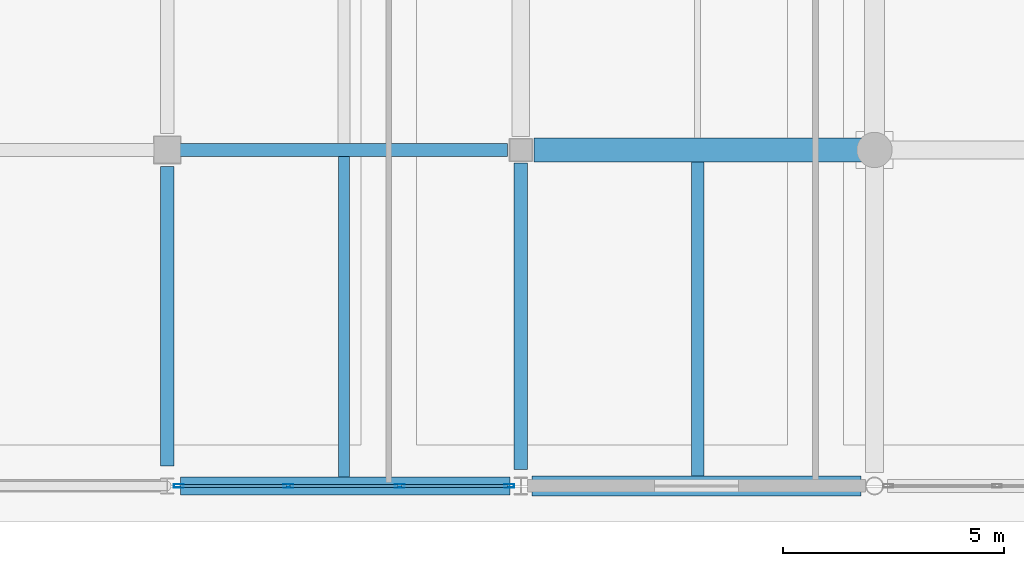
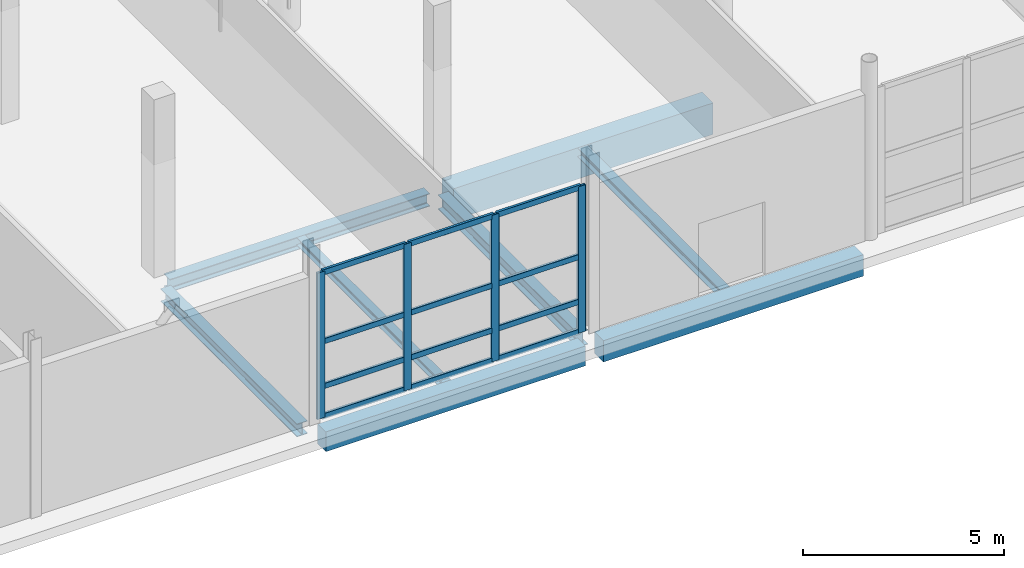
# One storey, part 37 of 126: 16 members, 8 beams, 1 element without a shape of its own.
"""IFC4 building model written with IfcOpenShell, lengths in metres."""

from ifc_helpers import new_model, si_unit, direction, frame, origin, origin_2d, place, context, subcontext, project, spatial, rectangle, hollow_rectangle, i_section, extrude, material, material_profile, profile_set, type_object, element, aggregate, save


model = new_model("IFC4")

# Units and contexts
model_context = context("Model", 3, precision=1e-05, world=origin(), true_north=direction((0.0, 1.0)))
body_context = subcontext(model_context, "Body", "Model", "MODEL_VIEW")
ifc_project = project(units=[si_unit("LENGTHUNIT", "METRE"), si_unit("AREAUNIT", "SQUARE_METRE"), si_unit("VOLUMEUNIT", "CUBIC_METRE"), si_unit("PLANEANGLEUNIT", "RADIAN"), si_unit("MASSUNIT", "GRAM", prefix="KILO")], contexts=[model_context])

# Site, building, storey
site_placement = place(None, origin())
site = spatial("IfcSite", under=ifc_project, at=site_placement, CompositionType="ELEMENT")
building_placement = place(site_placement, origin())
building = spatial("IfcBuilding", under=site, at=building_placement, Name="Khelvaren Railside Concert Hall", CompositionType="ELEMENT")
storey_placement = place(building_placement, origin())
storey = spatial("IfcBuildingStorey", under=building, at=storey_placement, Name="L00", CompositionType="ELEMENT", Elevation=0.0)

# Beams
ifc_material_1 = material(Name="Steel S355", Category="steel")
ifc_material_profile_1 = material_profile(ifc_material_1, i_section(OverallWidth=0.300048828125, OverallDepth=0.389892578125, WebThickness=0.010986328125, FlangeThickness=0.01904296875, FilletRadius=0.027099609375, at=origin_2d()), Name="HEA 400")
ifc_profile_set_1 = profile_set([ifc_material_profile_1], Name="Steel S355")
beam_type_1 = type_object("IfcBeamType", Name="BM23", PredefinedType="BEAM", material=ifc_profile_set_1)
beam_1_placement = place(storey_placement, frame((160.25, 7.60009765625, -0.514892578125), z_axis=(1.0, 0.0, 0.0), x_axis=(0.0, 1.0, 0.0)))
element("IfcBeam", 1, at=beam_1_placement, inside=storey, type_object=beam_type_1, Name="V2 L00 Beam X2.3", PredefinedType="BEAM", context=body_context, shape_type="SweptSolid", body=[
    extrude(i_section(OverallWidth=0.300048828125, OverallDepth=0.389892578125, WebThickness=0.010986328125, FlangeThickness=0.01904296875, FilletRadius=0.027099609375, at=origin_2d()), origin(), (0.0, 0.0, 1.0), 7.449951171875),
])
beam_2_placement = place(storey_placement, frame((160.0, 0.449951171875, -0.514892578125), z_axis=(0.0, 1.0, 0.0), x_axis=(-1.0, 0.0, 0.0)))
element("IfcBeam", 2, at=beam_2_placement, inside=storey, type_object=beam_type_1, Name="V2 L00 Beam Y3.1", PredefinedType="BEAM", context=body_context, shape_type="SweptSolid", body=[
    extrude(i_section(OverallWidth=0.300048828125, OverallDepth=0.389892578125, WebThickness=0.010986328125, FlangeThickness=0.01904296875, FilletRadius=0.027099609375, at=origin_2d()), origin(), (0.0, 0.0, 1.0), 6.775146484375),
])
ifc_material_profile_2 = material_profile(ifc_material_1, i_section(OverallWidth=0.300048828125, OverallDepth=0.43994140625, WebThickness=0.011474609375, FlangeThickness=0.02099609375, FilletRadius=0.027099609375, at=origin_2d()), Name="HEA 450")
ifc_profile_set_2 = profile_set([ifc_material_profile_2], Name="Steel S355")
beam_type_2 = type_object("IfcBeamType", Name="BM89", PredefinedType="BEAM", material=ifc_profile_set_2)
beam_3_placement = place(storey_placement, frame((168.0, 0.375, -0.5400390625), z_axis=(0.0, 1.0, 0.0), x_axis=(-1.0, 0.0, 0.0)))
element("IfcBeam", 3, at=beam_3_placement, inside=storey, type_object=beam_type_2, Name="V2 L00 Beam Y4.1", PredefinedType="BEAM", context=body_context, shape_type="SweptSolid", body=[
    extrude(i_section(OverallWidth=0.300048828125, OverallDepth=0.43994140625, WebThickness=0.011474609375, FlangeThickness=0.02099609375, FilletRadius=0.027099609375, at=origin_2d()), origin(), (0.0, 0.0, 1.0), 6.925048828125),
])

# Curtain wall, members
ifc_material_2 = material(Name="Triple-glazed solar-control glass", Category="glass")
curtain_wall_type = type_object("IfcCurtainWallType", Name="CW88", PredefinedType="USERDEFINED", material=ifc_material_2)
curtain_wall_placement = place(storey_placement, origin())
curtain_wall = element("IfcCurtainWall", 4, at=curtain_wall_placement, inside=storey, type_object=curtain_wall_type, Name="Unitised Curtain Wall CW-V2-L00-S-160", ObjectType="UNITISED CURTAIN WALL", PredefinedType="USERDEFINED")
ifc_material_3 = material(Name="Anodised architectural aluminium 6063-T6", Category="aluminium")
ifc_material_profile_3 = material_profile(ifc_material_3, hollow_rectangle(XDim=0.074951171875, YDim=0.219970703125, WallThickness=0.0048828125, InnerFilletRadius=0.0029296875, OuterFilletRadius=0.0048828125, at=origin_2d()), Name="CWM 75x220x5")
ifc_profile_set_3 = profile_set([ifc_material_profile_3], Name="Anodised architectural aluminium 6063-T6")
member_type_1 = type_object("IfcMemberType", Name="CWM13", PredefinedType="MULLION", material=ifc_profile_set_3)
member_1_placement = place(storey_placement, frame((167.739990234375, 0.0, 0.0), z_axis=(0.0, 0.0, 1.0), x_axis=(0.0, -1.0, 0.0)))
member_1 = element("IfcMember", 5, at=member_1_placement, type_object=member_type_1, Name="CW88 mullion 1", PredefinedType="MULLION", context=body_context, shape_type="SweptSolid", body=[
    extrude(hollow_rectangle(XDim=0.074951171875, YDim=0.219970703125, WallThickness=0.0048828125, InnerFilletRadius=0.0029296875, OuterFilletRadius=0.0048828125, at=origin_2d()), origin(), (0.0, 0.0, 1.0), 4.43994140625),
])
member_2_placement = place(storey_placement, frame((165.25927734375, 0.0, 0.0), z_axis=(0.0, 0.0, 1.0), x_axis=(0.0, -1.0, 0.0)))
member_2 = element("IfcMember", 6, at=member_2_placement, type_object=member_type_1, Name="CW88 mullion 2", PredefinedType="MULLION", context=body_context, shape_type="SweptSolid", body=[
    extrude(hollow_rectangle(XDim=0.074951171875, YDim=0.219970703125, WallThickness=0.0048828125, InnerFilletRadius=0.0029296875, OuterFilletRadius=0.0048828125, at=origin_2d()), origin(), (0.0, 0.0, 1.0), 4.43994140625),
])
member_3_placement = place(storey_placement, frame((162.74072265625, 0.0, 0.0), z_axis=(0.0, 0.0, 1.0), x_axis=(0.0, -1.0, 0.0)))
member_3 = element("IfcMember", 7, at=member_3_placement, type_object=member_type_1, Name="CW88 mullion 3", PredefinedType="MULLION", context=body_context, shape_type="SweptSolid", body=[
    extrude(hollow_rectangle(XDim=0.074951171875, YDim=0.219970703125, WallThickness=0.0048828125, InnerFilletRadius=0.0029296875, OuterFilletRadius=0.0048828125, at=origin_2d()), origin(), (0.0, 0.0, 1.0), 4.43994140625),
])
member_4_placement = place(storey_placement, frame((160.260009765625, 0.0, 0.0), z_axis=(0.0, 0.0, 1.0), x_axis=(0.0, -1.0, 0.0)))
member_4 = element("IfcMember", 8, at=member_4_placement, type_object=member_type_1, Name="CW88 mullion 4", PredefinedType="MULLION", context=body_context, shape_type="SweptSolid", body=[
    extrude(hollow_rectangle(XDim=0.074951171875, YDim=0.219970703125, WallThickness=0.0048828125, InnerFilletRadius=0.0029296875, OuterFilletRadius=0.0048828125, at=origin_2d()), origin(), (0.0, 0.0, 1.0), 4.43994140625),
])
ifc_material_profile_4 = material_profile(ifc_material_3, hollow_rectangle(XDim=0.074951171875, YDim=0.1650390625, WallThickness=0.00390625, InnerFilletRadius=0.001953125, OuterFilletRadius=0.00390625, at=origin_2d()), Name="CWT 75x165x4")
ifc_profile_set_4 = profile_set([ifc_material_profile_4], Name="Anodised architectural aluminium 6063-T6")
member_type_2 = type_object("IfcMemberType", Name="CWT46", PredefinedType="USERDEFINED", material=ifc_profile_set_4)
member_5_placement = place(storey_placement, frame((167.702392578125, 0.0, 0.03759765625), z_axis=(-1.0, 0.0, 0.0), x_axis=(0.0, -1.0, 0.0)))
member_5 = element("IfcMember", 9, at=member_5_placement, type_object=member_type_2, Name="CW88 transom 1.1", ObjectType="TRANSOM", PredefinedType="USERDEFINED", context=body_context, shape_type="SweptSolid", body=[
    extrude(hollow_rectangle(XDim=0.074951171875, YDim=0.1650390625, WallThickness=0.00390625, InnerFilletRadius=0.001953125, OuterFilletRadius=0.00390625, at=origin_2d()), origin(), (0.0, 0.0, 1.0), 2.40576171875),
])
member_6_placement = place(storey_placement, frame((167.702392578125, 0.0, 0.949951171875), z_axis=(-1.0, 0.0, 0.0), x_axis=(0.0, -1.0, 0.0)))
member_6 = element("IfcMember", 10, at=member_6_placement, type_object=member_type_2, Name="CW88 transom 1.2", ObjectType="TRANSOM", PredefinedType="USERDEFINED", context=body_context, shape_type="SweptSolid", body=[
    extrude(hollow_rectangle(XDim=0.074951171875, YDim=0.1650390625, WallThickness=0.00390625, InnerFilletRadius=0.001953125, OuterFilletRadius=0.00390625, at=origin_2d()), origin(), (0.0, 0.0, 1.0), 2.40576171875),
])
member_7_placement = place(storey_placement, frame((167.702392578125, 0.0, 2.308837890625), z_axis=(-1.0, 0.0, 0.0), x_axis=(0.0, -1.0, 0.0)))
member_7 = element("IfcMember", 11, at=member_7_placement, type_object=member_type_2, Name="CW88 transom 1.3", ObjectType="TRANSOM", PredefinedType="USERDEFINED", context=body_context, shape_type="SweptSolid", body=[
    extrude(hollow_rectangle(XDim=0.074951171875, YDim=0.1650390625, WallThickness=0.00390625, InnerFilletRadius=0.001953125, OuterFilletRadius=0.00390625, at=origin_2d()), origin(), (0.0, 0.0, 1.0), 2.40576171875),
])
member_8_placement = place(storey_placement, frame((167.702392578125, 0.0, 4.402587890625), z_axis=(-1.0, 0.0, 0.0), x_axis=(0.0, -1.0, 0.0)))
member_8 = element("IfcMember", 12, at=member_8_placement, type_object=member_type_2, Name="CW88 transom 1.4", ObjectType="TRANSOM", PredefinedType="USERDEFINED", context=body_context, shape_type="SweptSolid", body=[
    extrude(hollow_rectangle(XDim=0.074951171875, YDim=0.1650390625, WallThickness=0.00390625, InnerFilletRadius=0.001953125, OuterFilletRadius=0.00390625, at=origin_2d()), origin(), (0.0, 0.0, 1.0), 2.40576171875),
])
member_9_placement = place(storey_placement, frame((165.2216796875, 0.0, 0.03759765625), z_axis=(-1.0, 0.0, 0.0), x_axis=(0.0, -1.0, 0.0)))
member_9 = element("IfcMember", 13, at=member_9_placement, type_object=member_type_2, Name="CW88 transom 2.1", ObjectType="TRANSOM", PredefinedType="USERDEFINED", context=body_context, shape_type="SweptSolid", body=[
    extrude(hollow_rectangle(XDim=0.074951171875, YDim=0.1650390625, WallThickness=0.00390625, InnerFilletRadius=0.001953125, OuterFilletRadius=0.00390625, at=origin_2d()), origin(), (0.0, 0.0, 1.0), 2.443359375),
])
member_10_placement = place(storey_placement, frame((165.2216796875, 0.0, 0.949951171875), z_axis=(-1.0, 0.0, 0.0), x_axis=(0.0, -1.0, 0.0)))
member_10 = element("IfcMember", 14, at=member_10_placement, type_object=member_type_2, Name="CW88 transom 2.2", ObjectType="TRANSOM", PredefinedType="USERDEFINED", context=body_context, shape_type="SweptSolid", body=[
    extrude(hollow_rectangle(XDim=0.074951171875, YDim=0.1650390625, WallThickness=0.00390625, InnerFilletRadius=0.001953125, OuterFilletRadius=0.00390625, at=origin_2d()), origin(), (0.0, 0.0, 1.0), 2.443359375),
])
member_11_placement = place(storey_placement, frame((165.2216796875, 0.0, 2.308837890625), z_axis=(-1.0, 0.0, 0.0), x_axis=(0.0, -1.0, 0.0)))
member_11 = element("IfcMember", 15, at=member_11_placement, type_object=member_type_2, Name="CW88 transom 2.3", ObjectType="TRANSOM", PredefinedType="USERDEFINED", context=body_context, shape_type="SweptSolid", body=[
    extrude(hollow_rectangle(XDim=0.074951171875, YDim=0.1650390625, WallThickness=0.00390625, InnerFilletRadius=0.001953125, OuterFilletRadius=0.00390625, at=origin_2d()), origin(), (0.0, 0.0, 1.0), 2.443359375),
])
member_12_placement = place(storey_placement, frame((165.2216796875, 0.0, 4.402587890625), z_axis=(-1.0, 0.0, 0.0), x_axis=(0.0, -1.0, 0.0)))
member_12 = element("IfcMember", 16, at=member_12_placement, type_object=member_type_2, Name="CW88 transom 2.4", ObjectType="TRANSOM", PredefinedType="USERDEFINED", context=body_context, shape_type="SweptSolid", body=[
    extrude(hollow_rectangle(XDim=0.074951171875, YDim=0.1650390625, WallThickness=0.00390625, InnerFilletRadius=0.001953125, OuterFilletRadius=0.00390625, at=origin_2d()), origin(), (0.0, 0.0, 1.0), 2.443359375),
])
member_13_placement = place(storey_placement, frame((162.703369140625, 0.0, 0.03759765625), z_axis=(-1.0, 0.0, 0.0), x_axis=(0.0, -1.0, 0.0)))
member_13 = element("IfcMember", 17, at=member_13_placement, type_object=member_type_2, Name="CW88 transom 3.1", ObjectType="TRANSOM", PredefinedType="USERDEFINED", context=body_context, shape_type="SweptSolid", body=[
    extrude(hollow_rectangle(XDim=0.074951171875, YDim=0.1650390625, WallThickness=0.00390625, InnerFilletRadius=0.001953125, OuterFilletRadius=0.00390625, at=origin_2d()), origin(), (0.0, 0.0, 1.0), 2.40576171875),
])
member_14_placement = place(storey_placement, frame((162.703369140625, 0.0, 0.949951171875), z_axis=(-1.0, 0.0, 0.0), x_axis=(0.0, -1.0, 0.0)))
member_14 = element("IfcMember", 18, at=member_14_placement, type_object=member_type_2, Name="CW88 transom 3.2", ObjectType="TRANSOM", PredefinedType="USERDEFINED", context=body_context, shape_type="SweptSolid", body=[
    extrude(hollow_rectangle(XDim=0.074951171875, YDim=0.1650390625, WallThickness=0.00390625, InnerFilletRadius=0.001953125, OuterFilletRadius=0.00390625, at=origin_2d()), origin(), (0.0, 0.0, 1.0), 2.40576171875),
])
member_15_placement = place(storey_placement, frame((162.703369140625, 0.0, 2.308837890625), z_axis=(-1.0, 0.0, 0.0), x_axis=(0.0, -1.0, 0.0)))
member_15 = element("IfcMember", 19, at=member_15_placement, type_object=member_type_2, Name="CW88 transom 3.3", ObjectType="TRANSOM", PredefinedType="USERDEFINED", context=body_context, shape_type="SweptSolid", body=[
    extrude(hollow_rectangle(XDim=0.074951171875, YDim=0.1650390625, WallThickness=0.00390625, InnerFilletRadius=0.001953125, OuterFilletRadius=0.00390625, at=origin_2d()), origin(), (0.0, 0.0, 1.0), 2.40576171875),
])
member_16_placement = place(storey_placement, frame((162.703369140625, 0.0, 4.402587890625), z_axis=(-1.0, 0.0, 0.0), x_axis=(0.0, -1.0, 0.0)))
member_16 = element("IfcMember", 20, at=member_16_placement, type_object=member_type_2, Name="CW88 transom 3.4", ObjectType="TRANSOM", PredefinedType="USERDEFINED", context=body_context, shape_type="SweptSolid", body=[
    extrude(hollow_rectangle(XDim=0.074951171875, YDim=0.1650390625, WallThickness=0.00390625, InnerFilletRadius=0.001953125, OuterFilletRadius=0.00390625, at=origin_2d()), origin(), (0.0, 0.0, 1.0), 2.40576171875),
])
aggregate(curtain_wall, [member_1, member_2, member_3, member_4, member_5, member_6, member_7, member_8, member_9, member_10, member_11, member_12, member_13, member_14, member_15, member_16])

# Beams
ifc_material_4 = material(Name="Concrete C40/50", Category="concrete")
ifc_material_profile_5 = material_profile(ifc_material_4, rectangle(XDim=0.550048828125, YDim=0.949951171875, at=origin_2d()), Name="RCB 550x950")
ifc_profile_set_5 = profile_set([ifc_material_profile_5], Name="Concrete C40/50")
beam_type_3 = type_object("IfcBeamType", Name="GR57", PredefinedType="T_BEAM", material=ifc_profile_set_5)
beam_4_placement = place(storey_placement, frame((168.300048828125, 7.60009765625, -0.794921875), z_axis=(1.0, 0.0, 0.0), x_axis=(0.0, 1.0, 0.0)))
element("IfcBeam", 21, at=beam_4_placement, inside=storey, type_object=beam_type_3, Name="V2 L00 T_Beam X2.4", PredefinedType="T_BEAM", context=body_context, shape_type="SweptSolid", body=[
    extrude(rectangle(XDim=0.550048828125, YDim=0.949951171875, at=origin_2d()), origin(), (0.0, 0.0, 1.0), 7.449951171875),
])
ifc_material_profile_6 = material_profile(ifc_material_1, i_section(OverallWidth=0.280029296875, OverallDepth=0.27001953125, WebThickness=0.008056640625, FlangeThickness=0.012939453125, FilletRadius=0.02392578125, at=origin_2d()), Name="HEA 280")
ifc_profile_set_6 = profile_set([ifc_material_profile_6], Name="Steel S355")
beam_type_4 = type_object("IfcBeamType", Name="JS46", PredefinedType="JOIST", material=ifc_profile_set_6)
beam_5_placement = place(storey_placement, frame((172.0, 0.22509765625, -0.455078125), z_axis=(0.0, 1.0, 0.0), x_axis=(-1.0, 0.0, 0.0)))
element("IfcBeam", 22, at=beam_5_placement, inside=storey, type_object=beam_type_4, Name="V2 L00 Secondary Joist 4.1", PredefinedType="JOIST", context=body_context, shape_type="SweptSolid", body=[
    extrude(i_section(OverallWidth=0.280029296875, OverallDepth=0.27001953125, WebThickness=0.008056640625, FlangeThickness=0.012939453125, FilletRadius=0.02392578125, at=origin_2d()), origin(), (0.0, 0.0, 1.0), 7.099853515625),
])
ifc_material_profile_7 = material_profile(ifc_material_1, i_section(OverallWidth=0.239990234375, OverallDepth=0.22998046875, WebThickness=0.007568359375, FlangeThickness=0.011962890625, FilletRadius=0.02099609375, at=origin_2d()), Name="HEA 240")
ifc_profile_set_7 = profile_set([ifc_material_profile_7], Name="Steel S355")
beam_type_5 = type_object("IfcBeamType", Name="JS76", PredefinedType="JOIST", material=ifc_profile_set_7)
beam_6_placement = place(storey_placement, frame((164.0, 0.199951171875, -0.43505859375), z_axis=(0.0, 1.0, 0.0), x_axis=(-1.0, 0.0, 0.0)))
element("IfcBeam", 23, at=beam_6_placement, inside=storey, type_object=beam_type_5, Name="V2 L00 Secondary Joist 3.1", PredefinedType="JOIST", context=body_context, shape_type="SweptSolid", body=[
    extrude(i_section(OverallWidth=0.239990234375, OverallDepth=0.22998046875, WebThickness=0.007568359375, FlangeThickness=0.011962890625, FilletRadius=0.02099609375, at=origin_2d()), origin(), (0.0, 0.0, 1.0), 7.25),
])
ifc_material_profile_8 = material_profile(ifc_material_4, rectangle(XDim=0.449951171875, YDim=0.64990234375, at=origin_2d()), Name="RCB 450x650")
ifc_profile_set_8 = profile_set([ifc_material_profile_8], Name="Concrete C40/50")
beam_type_6 = type_object("IfcBeamType", Name="SP34", PredefinedType="SPANDREL", material=ifc_profile_set_8)
beam_7_placement = place(storey_placement, frame((168.25, 0.0, -0.64501953125), z_axis=(1.0, 0.0, 0.0), x_axis=(0.0, 1.0, 0.0)))
element("IfcBeam", 24, at=beam_7_placement, inside=storey, type_object=beam_type_6, Name="V2 L00 Spandrel X1.4", PredefinedType="SPANDREL", context=body_context, shape_type="SweptSolid", body=[
    extrude(rectangle(XDim=0.449951171875, YDim=0.64990234375, at=origin_2d()), origin(), (0.0, 0.0, 1.0), 7.449951171875),
])
ifc_material_profile_9 = material_profile(ifc_material_4, rectangle(XDim=0.39990234375, YDim=0.60009765625, at=origin_2d()), Name="RCB 400x600")
ifc_profile_set_9 = profile_set([ifc_material_profile_9], Name="Concrete C40/50")
beam_type_7 = type_object("IfcBeamType", Name="SP75", PredefinedType="SPANDREL", material=ifc_profile_set_9)
beam_8_placement = place(storey_placement, frame((160.300048828125, 0.0, -0.6201171875), z_axis=(1.0, 0.0, 0.0), x_axis=(0.0, 1.0, 0.0)))
element("IfcBeam", 25, at=beam_8_placement, inside=storey, type_object=beam_type_7, Name="V2 L00 Spandrel X1.3", PredefinedType="SPANDREL", context=body_context, shape_type="SweptSolid", body=[
    extrude(rectangle(XDim=0.39990234375, YDim=0.60009765625, at=origin_2d()), origin(), (0.0, 0.0, 1.0), 7.449951171875),
])

save(model, "model.ifc")
